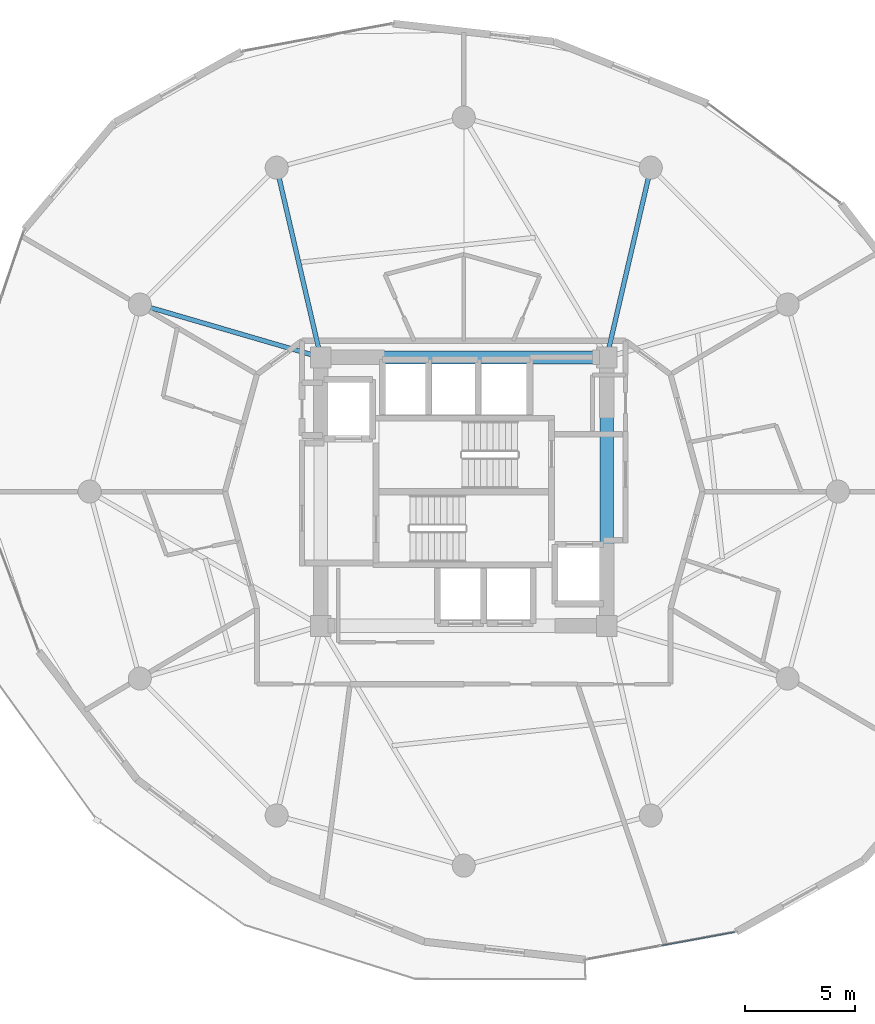
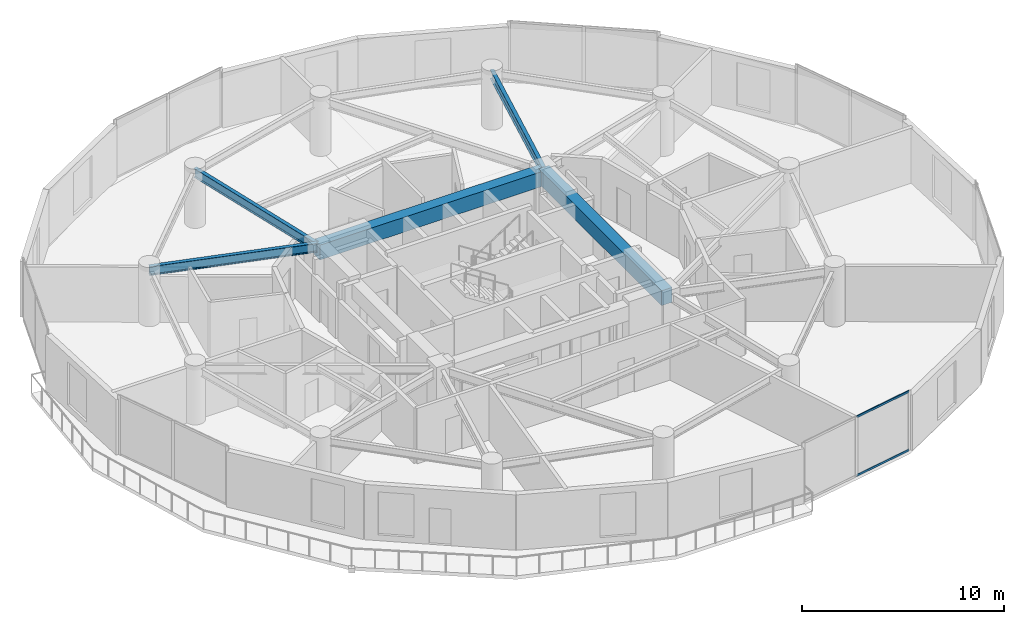
# One storey, part 9 of 25: 5 beams, 2 members, 1 element without a shape of its own.
"""IFC4 building model written with IfcOpenShell, lengths in metres."""

from ifc_helpers import new_model, si_unit, direction, frame, origin, origin_2d, place, context, subcontext, project, spatial, rectangle, hollow_rectangle, i_section, extrude, source, transform, mapped, material, layer, layer_set, material_profile, profile_set, type_object, element, aggregate, save


model = new_model("IFC4")

# Units and contexts
model_context = context("Model", 3, precision=1e-05, world=origin(), true_north=direction((0.0, 1.0)))
body_context = subcontext(model_context, "Body", "Model", "MODEL_VIEW")
ifc_project = project(units=[si_unit("LENGTHUNIT", "METRE"), si_unit("AREAUNIT", "SQUARE_METRE"), si_unit("VOLUMEUNIT", "CUBIC_METRE"), si_unit("PLANEANGLEUNIT", "RADIAN"), si_unit("MASSUNIT", "GRAM", prefix="KILO")], contexts=[model_context])

# Site, building, storey
site_placement = place(None, origin())
site = spatial("IfcSite", under=ifc_project, at=site_placement, CompositionType="ELEMENT")
building_placement = place(site_placement, origin())
building = spatial("IfcBuilding", under=site, at=building_placement, Name="Solvirekh Grand Hotel", CompositionType="ELEMENT")
storey_placement = place(building_placement, frame((0.0, 0.0, 102.60009765625)))
storey = spatial("IfcBuildingStorey", under=building, at=storey_placement, Name="L25", CompositionType="ELEMENT", Elevation=102.60009765625)

# Beams
ifc_material_1 = material(Name="Concrete C50/60", Category="concrete")
ifc_material_profile_1 = material_profile(ifc_material_1, rectangle(XDim=0.60009765625, YDim=0.89990234375, at=origin_2d()), Name="RC BEAM 600X900")
ifc_profile_set_1 = profile_set([ifc_material_profile_1], Name="Concrete C50/60")
beam_type_1 = type_object("IfcBeamType", Name="Beam_Core_RC900", PredefinedType="BEAM", material=ifc_profile_set_1)
beam_1_placement = place(storey_placement, frame((6.5, -6.10009765625, 2.89990234375), z_axis=(0.0, 1.0, 0.0), x_axis=(-1.0, 0.0, 0.0)))
element("IfcBeam", 1, at=beam_1_placement, inside=storey, type_object=beam_type_1, Name="L25 core coupling ring beam 2", PredefinedType="BEAM", context=body_context, shape_type="SweptSolid", body=[
    extrude(rectangle(XDim=0.60009765625, YDim=0.89990234375, at=origin_2d()), origin(), (0.0, 0.0, 1.0), 12.2001953125),
])
beam_2_placement = place(storey_placement, frame((6.5, 6.10009765625, 2.89990234375), z_axis=(-1.0, 0.0, 0.0), x_axis=(0.0, -1.0, 0.0)))
element("IfcBeam", 2, at=beam_2_placement, inside=storey, type_object=beam_type_1, Name="L25 core coupling ring beam 3", PredefinedType="BEAM", context=body_context, shape_type="SweptSolid", body=[
    extrude(rectangle(XDim=0.60009765625, YDim=0.89990234375, at=origin_2d()), origin(), (0.0, 0.0, 1.0), 13.0),
])
ifc_material_2 = material(Name="Steel S355", Category="steel")
ifc_material_profile_2 = material_profile(ifc_material_2, i_section(OverallWidth=0.2119140625, OverallDepth=0.5439453125, WebThickness=0.011962890625, FlangeThickness=0.01904296875, FilletRadius=0.013916015625, at=origin_2d()), Name="W530X123")
ifc_profile_set_2 = profile_set([ifc_material_profile_2], Name="Steel S355")
beam_type_2 = type_object("IfcBeamType", Name="Beam_Radial_W530H", PredefinedType="BEAM", material=ifc_profile_set_2)
for number, where, z_axis, x_axis, name in (
    (3, (6.5, 6.10009765625, 3.077880859375), (0.225969390542, 0.974134402707, 0.0), (-0.974134402707, 0.225969390542, 0.0), "L25 radial floor beam R03"),
    (4, (-6.5, 6.10009765625, 3.077880859375), (-0.225969390542, 0.974134402707, 0.0), (-0.974134402707, -0.225969390542, 0.0), "L25 radial floor beam R05"),
):
    element("IfcBeam", number, at=place(storey_placement, frame(where, z_axis=z_axis, x_axis=x_axis)), inside=storey, type_object=beam_type_2, Name=name, PredefinedType="BEAM", context=body_context, shape_type="SweptSolid", body=[
        extrude(i_section(OverallWidth=0.2119140625, OverallDepth=0.5439453125, WebThickness=0.011962890625, FlangeThickness=0.01904296875, FilletRadius=0.013916015625, at=origin_2d()), origin(), (0.0, 0.0, 1.0), 8.850830078125),
    ])
beam_3_placement = place(storey_placement, frame((-6.5, 6.10009765625, 3.077880859375), z_axis=(-0.959942195467, 0.28019811092, 0.0), x_axis=(-0.28019811092, -0.959942195467, 0.0)))
element("IfcBeam", 5, at=beam_3_placement, inside=storey, type_object=beam_type_2, Name="L25 radial floor beam R06", PredefinedType="BEAM", context=body_context, shape_type="SweptSolid", body=[
    extrude(i_section(OverallWidth=0.2119140625, OverallDepth=0.5439453125, WebThickness=0.011962890625, FlangeThickness=0.01904296875, FilletRadius=0.013916015625, at=origin_2d()), origin(), (0.0, 0.0, 1.0), 8.56494140625),
])

# Curtain wall, members
ifc_material_3 = material(Name="Anodized Bronze Aluminium 6063-T6", Category="aluminium")
ifc_layer = layer(ifc_material_3, 0.175048828125)
ifc_layer_set = layer_set([ifc_layer], Name="Anodized Bronze Aluminium 6063-T6")
curtain_wall_type = type_object("IfcCurtainWallType", Name="CW_Sys3_MidZoneFlushBronzeCW", PredefinedType="NOTDEFINED", material=ifc_layer_set)
curtain_wall_placement = place(storey_placement, origin())
curtain_wall = element("IfcCurtainWall", 6, at=curtain_wall_placement, inside=storey, type_object=curtain_wall_type, Name="L25 unitised bronze-glass curtain wall CW-L25-C18", PredefinedType="NOTDEFINED")
ifc_material_profile_3 = material_profile(ifc_material_3, hollow_rectangle(XDim=0.054931640625, YDim=0.1201171875, WallThickness=0.00390625, at=origin_2d()), Name="ALU RHS 120X55X4")
ifc_profile_set_3 = profile_set([ifc_material_profile_3], Name="Anodized Bronze Aluminium 6063-T6")
member_type = type_object("IfcMemberType", Name="CWTransom_Sys3", PredefinedType="USERDEFINED", material=ifc_profile_set_3)
shared_shape = source(origin(), body_context, "Body", "SweptSolid", [
    extrude(hollow_rectangle(XDim=0.054931640625, YDim=0.1201171875, WallThickness=0.00390625, at=origin_2d()), origin(), (0.0, 0.0, 1.0), 3.397216796875),
])
member_1_placement = place(storey_placement, frame((8.97998046875, -20.634521484375, 0.02734375), z_axis=(0.983490568923, 0.180959390029, 0.0), x_axis=(-0.180959390029, 0.983490568923, 0.0)))
member_1 = element("IfcMember", 7, at=member_1_placement, type_object=member_type, Name="U03 transom 2.1", ObjectType="TRANSOM", PredefinedType="USERDEFINED", context=body_context, shape_type="MappedRepresentation", body=[
    mapped(shared_shape, transform((0.0, 0.0, 0.0), x_axis=(1.0, 0.0, 0.0), y_axis=(0.0, 1.0, 0.0), z_axis=(0.0, 0.0, 1.0), scale=1.0)),
])
member_2_placement = place(storey_placement, frame((8.97998046875, -20.634521484375, 3.572509765625), z_axis=(0.983490568923, 0.180959390029, 0.0), x_axis=(-0.180959390029, 0.983490568923, 0.0)))
member_2 = element("IfcMember", 8, at=member_2_placement, type_object=member_type, Name="U03 transom 2.2", ObjectType="TRANSOM", PredefinedType="USERDEFINED", context=body_context, shape_type="MappedRepresentation", body=[
    mapped(shared_shape, transform((0.0, 0.0, 0.0), x_axis=(1.0, 0.0, 0.0), y_axis=(0.0, 1.0, 0.0), z_axis=(0.0, 0.0, 1.0), scale=1.0)),
])
aggregate(curtain_wall, [member_1, member_2])

save(model, "model.ifc")
